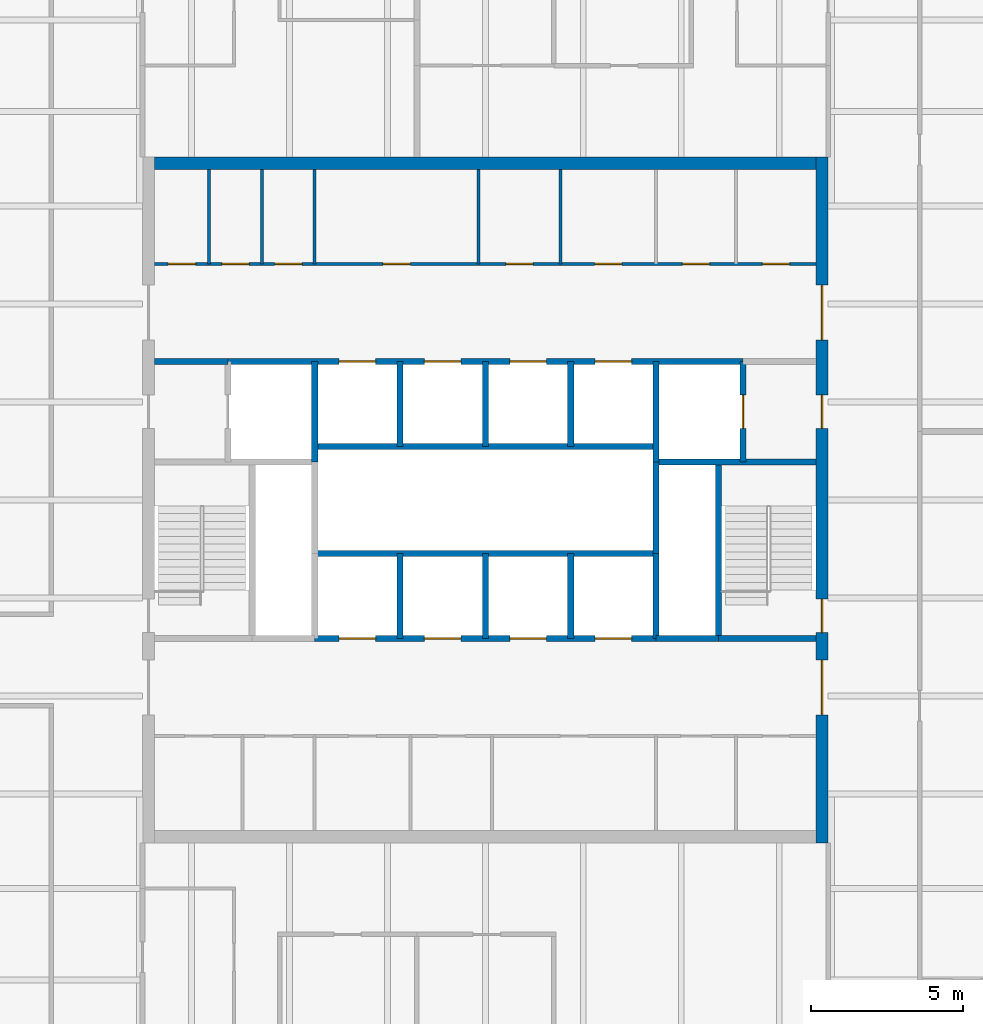
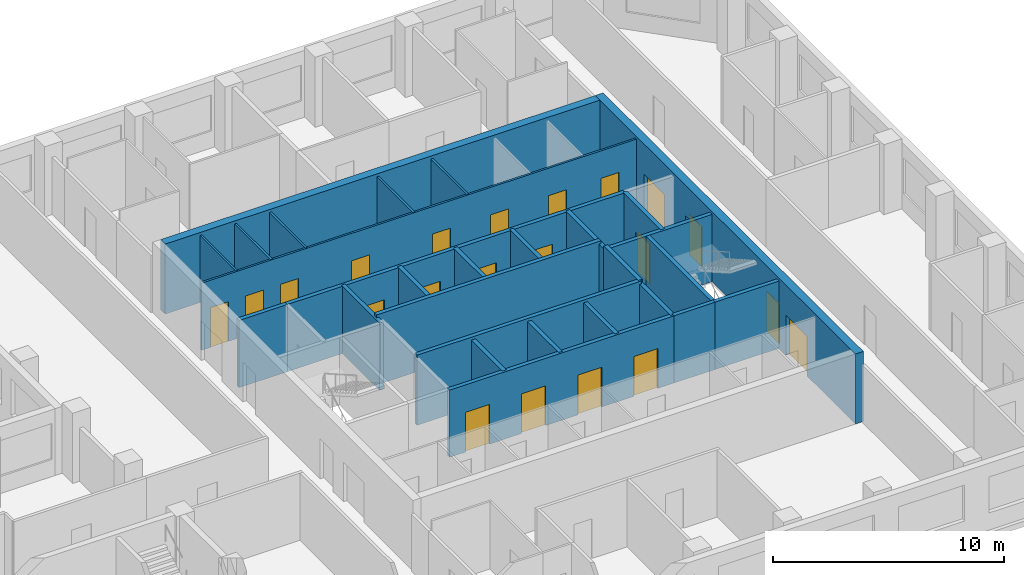
# One storey, part 6 of 9: 28 walls, 21 doors, 21 openings.
"""IFC4 building model written with IfcOpenShell, lengths in metres."""

from ifc_helpers import new_model, si_unit, direction, frame, frame_2d, origin, place, context, subcontext, project, spatial, rectangle, extrude, material, layer, layer_set, type_object, element, fill, save


model = new_model("IFC4")

# Units and contexts
model_context = context("Model", 3, precision=1e-05, world=origin(), true_north=direction((0.0, 1.0)))
body_context = subcontext(model_context, "Body", "Model", "MODEL_VIEW")
ifc_project = project(units=[si_unit("LENGTHUNIT", "METRE"), si_unit("AREAUNIT", "SQUARE_METRE"), si_unit("VOLUMEUNIT", "CUBIC_METRE"), si_unit("PLANEANGLEUNIT", "RADIAN"), si_unit("MASSUNIT", "GRAM", prefix="KILO")], contexts=[model_context])

# Site, building, storey
site_placement = place(None, origin())
site = spatial("IfcSite", under=ifc_project, at=site_placement, CompositionType="ELEMENT")
building_placement = place(site_placement, origin())
building = spatial("IfcBuilding", under=site, at=building_placement, Name="Quoin Convention Tower", CompositionType="ELEMENT")
storey_placement = place(building_placement, frame((0.0, 0.0, 252.60009765625)))
storey = spatial("IfcBuildingStorey", under=building, at=storey_placement, Name="L66", CompositionType="ELEMENT", Elevation=252.60009765625)

# Wall, openings, doors
ifc_material_1 = material(Name="Plasterboard")
ifc_layer_1 = layer(ifc_material_1, 0.012451171875, Name="Finish")
ifc_material_2 = material(Name="Steel stud framing", Category="steel")
ifc_layer_2 = layer(ifc_material_2, 0.074951171875, Name="Structure")
ifc_layer_3 = layer(ifc_material_1, 0.012451171875, Name="Finish")
ifc_layer_set_1 = layer_set([ifc_layer_1, ifc_layer_2, ifc_layer_3], Name="Steel stud framing")
wall_type_1 = type_object("IfcWallType", Name="Core partition wall", PredefinedType="PARTITIONING", material=ifc_layer_set_1)
wall_1_placement = place(storey_placement, frame((45.39990234375, 68.5, 0.0), z_axis=(0.0, 0.0, 1.0), x_axis=(1.0, 0.0, 0.0)))
wall_1 = element("IfcWall", 1, at=wall_1_placement, inside=storey, type_object=wall_type_1, Name="cr-C1-L66-h19000_400", PredefinedType="PARTITIONING", context=body_context, shape_type="SweptSolid", body=[
    extrude(rectangle(XDim=21.7001953125, YDim=0.10009765625, at=frame_2d((10.85009765625, 0.0))), origin(), (0.0, 0.0, 1.0), 3.5498046875),
])
opening_1_placement = place(wall_1_placement, frame((19.9375, 0.0, 0.0)))
opening_1 = element("IfcOpeningElement", 2, at=opening_1_placement, cuts=wall_1, Name="Opening DCV4-14", PredefinedType="OPENING", context=body_context, shape_type="SweptSolid", body=[
    extrude(rectangle(XDim=0.89990234375, YDim=2.10009765625, at=frame_2d((0.449951171875, 1.050048828125))), frame((0.0, 0.06005859375, 0.0), z_axis=(0.0, -1.0, 0.0), x_axis=(1.0, 0.0, 0.0)), (0.0, 0.0, 1.0), 0.1201171875),
])
opening_2_placement = place(wall_1_placement, frame((17.3125, 0.0, 0.0)))
opening_2 = element("IfcOpeningElement", 3, at=opening_2_placement, cuts=wall_1, Name="Opening DCV4-13", PredefinedType="OPENING", context=body_context, shape_type="SweptSolid", body=[
    extrude(rectangle(XDim=0.89990234375, YDim=2.10009765625, at=frame_2d((0.449951171875, 1.050048828125))), frame((0.0, 0.06005859375, 0.0), z_axis=(0.0, -1.0, 0.0), x_axis=(1.0, 0.0, 0.0)), (0.0, 0.0, 1.0), 0.1201171875),
])
opening_3_placement = place(wall_1_placement, frame((0.4423828125, 0.0, 0.0)))
opening_3 = element("IfcOpeningElement", 4, at=opening_3_placement, cuts=wall_1, Name="Opening DCV4-05", PredefinedType="OPENING", context=body_context, shape_type="SweptSolid", body=[
    extrude(rectangle(XDim=0.89990234375, YDim=2.10009765625, at=frame_2d((0.449951171875, 1.050048828125))), frame((0.0, 0.06005859375, 0.0), z_axis=(0.0, -1.0, 0.0), x_axis=(1.0, 0.0, 0.0)), (0.0, 0.0, 1.0), 0.1201171875),
])
opening_4_placement = place(wall_1_placement, frame((2.201416015625, 0.0, 0.0)))
opening_4 = element("IfcOpeningElement", 5, at=opening_4_placement, cuts=wall_1, Name="Opening DCV4-06", PredefinedType="OPENING", context=body_context, shape_type="SweptSolid", body=[
    extrude(rectangle(XDim=0.89990234375, YDim=2.10009765625, at=frame_2d((0.449951171875, 1.050048828125))), frame((0.0, 0.06005859375, 0.0), z_axis=(0.0, -1.0, 0.0), x_axis=(1.0, 0.0, 0.0)), (0.0, 0.0, 1.0), 0.1201171875),
])
opening_5_placement = place(wall_1_placement, frame((3.93359375, 0.0, 0.0)))
opening_5 = element("IfcOpeningElement", 6, at=opening_5_placement, cuts=wall_1, Name="Opening DCV4-07", PredefinedType="OPENING", context=body_context, shape_type="SweptSolid", body=[
    extrude(rectangle(XDim=0.89990234375, YDim=2.10009765625, at=frame_2d((0.449951171875, 1.050048828125))), frame((0.0, 0.06005859375, 0.0), z_axis=(0.0, -1.0, 0.0), x_axis=(1.0, 0.0, 0.0)), (0.0, 0.0, 1.0), 0.1201171875),
])
opening_6_placement = place(wall_1_placement, frame((14.431884765625, 0.0, 0.0)))
opening_6 = element("IfcOpeningElement", 7, at=opening_6_placement, cuts=wall_1, Name="Opening DCV4-12", PredefinedType="OPENING", context=body_context, shape_type="SweptSolid", body=[
    extrude(rectangle(XDim=0.89990234375, YDim=2.10009765625, at=frame_2d((0.449951171875, 1.050048828125))), frame((0.0, 0.06005859375, 0.0), z_axis=(0.0, -1.0, 0.0), x_axis=(1.0, 0.0, 0.0)), (0.0, 0.0, 1.0), 0.1201171875),
])
opening_7_placement = place(wall_1_placement, frame((11.52001953125, 0.0, 0.0)))
opening_7 = element("IfcOpeningElement", 8, at=opening_7_placement, cuts=wall_1, Name="Opening DCV4-10", PredefinedType="OPENING", context=body_context, shape_type="SweptSolid", body=[
    extrude(rectangle(XDim=0.89990234375, YDim=2.10009765625, at=frame_2d((0.449951171875, 1.050048828125))), frame((0.0, 0.06005859375, 0.0), z_axis=(0.0, -1.0, 0.0), x_axis=(1.0, 0.0, 0.0)), (0.0, 0.0, 1.0), 0.1201171875),
])
opening_8_placement = place(wall_1_placement, frame((7.488037109375, 0.0, 0.0)))
opening_8 = element("IfcOpeningElement", 9, at=opening_8_placement, cuts=wall_1, Name="Opening DCV4-09", PredefinedType="OPENING", context=body_context, shape_type="SweptSolid", body=[
    extrude(rectangle(XDim=0.89990234375, YDim=2.10009765625, at=frame_2d((0.449951171875, 1.050048828125))), frame((0.0, 0.06005859375, 0.0), z_axis=(0.0, -1.0, 0.0), x_axis=(1.0, 0.0, 0.0)), (0.0, 0.0, 1.0), 0.1201171875),
])
ifc_material_3 = material(Name="Steel door leaf", Category="steel")
door_type_1 = type_object("IfcDoorType", Name="Core room door 900 x 2100", OperationType="SINGLE_SWING_LEFT", PredefinedType="DOOR", material=ifc_material_3)
door_1_placement = place(opening_1_placement, origin())
door_1 = element("IfcDoor", 10, at=door_1_placement, inside=storey, type_object=door_type_1, Name="cd-C1-L66-CNE0-lobB-CD6607", OperationType="SINGLE_SWING_RIGHT", OverallHeight=2.10009765625, OverallWidth=0.89990234375, PredefinedType="DOOR", context=body_context, shape_type="SweptSolid", body=[
    extrude(rectangle(XDim=0.89990234375, YDim=2.10009765625, at=frame_2d((0.449951171875, 1.050048828125))), frame((0.0, 0.02490234375, 0.0), z_axis=(0.0, -1.0, 0.0), x_axis=(1.0, 0.0, 0.0)), (0.0, 0.0, 1.0), 0.050048828125),
])
fill(opening_1, door_1)
door_2_placement = place(opening_2_placement, origin())
door_2 = element("IfcDoor", 11, at=door_2_placement, inside=storey, type_object=door_type_1, Name="cd-C1-L66-CNE1-lobB-CD6608", OperationType="SINGLE_SWING_RIGHT", OverallHeight=2.10009765625, OverallWidth=0.89990234375, PredefinedType="DOOR", context=body_context, shape_type="SweptSolid", body=[
    extrude(rectangle(XDim=0.89990234375, YDim=2.10009765625, at=frame_2d((0.449951171875, 1.050048828125))), frame((0.0, 0.02490234375, 0.0), z_axis=(0.0, -1.0, 0.0), x_axis=(1.0, 0.0, 0.0)), (0.0, 0.0, 1.0), 0.050048828125),
])
fill(opening_2, door_2)
door_3_placement = place(opening_3_placement, origin())
door_3 = element("IfcDoor", 12, at=door_3_placement, inside=storey, type_object=door_type_1, Name="cd-C1-L66-CNW0-lobB-CD6609", OperationType="SINGLE_SWING_RIGHT", OverallHeight=2.10009765625, OverallWidth=0.89990234375, PredefinedType="DOOR", context=body_context, shape_type="SweptSolid", body=[
    extrude(rectangle(XDim=0.89990234375, YDim=2.10009765625, at=frame_2d((0.449951171875, 1.050048828125))), frame((0.0, 0.02490234375, 0.0), z_axis=(0.0, -1.0, 0.0), x_axis=(1.0, 0.0, 0.0)), (0.0, 0.0, 1.0), 0.050048828125),
])
fill(opening_3, door_3)
door_4_placement = place(opening_4_placement, origin())
door_4 = element("IfcDoor", 13, at=door_4_placement, inside=storey, type_object=door_type_1, Name="cd-C1-L66-CNW1-lobB-CD6610", OperationType="SINGLE_SWING_RIGHT", OverallHeight=2.10009765625, OverallWidth=0.89990234375, PredefinedType="DOOR", context=body_context, shape_type="SweptSolid", body=[
    extrude(rectangle(XDim=0.89990234375, YDim=2.10009765625, at=frame_2d((0.449951171875, 1.050048828125))), frame((0.0, 0.02490234375, 0.0), z_axis=(0.0, -1.0, 0.0), x_axis=(1.0, 0.0, 0.0)), (0.0, 0.0, 1.0), 0.050048828125),
])
fill(opening_4, door_4)
door_5_placement = place(opening_5_placement, origin())
door_5 = element("IfcDoor", 14, at=door_5_placement, inside=storey, type_object=door_type_1, Name="cd-C1-L66-CNW2-lobB-CD6611", OperationType="SINGLE_SWING_RIGHT", OverallHeight=2.10009765625, OverallWidth=0.89990234375, PredefinedType="DOOR", context=body_context, shape_type="SweptSolid", body=[
    extrude(rectangle(XDim=0.89990234375, YDim=2.10009765625, at=frame_2d((0.449951171875, 1.050048828125))), frame((0.0, 0.02490234375, 0.0), z_axis=(0.0, -1.0, 0.0), x_axis=(1.0, 0.0, 0.0)), (0.0, 0.0, 1.0), 0.050048828125),
])
fill(opening_5, door_5)
door_6_placement = place(opening_6_placement, origin())
door_6 = element("IfcDoor", 15, at=door_6_placement, inside=storey, type_object=door_type_1, Name="cd-C1-L66-F40-lobB-CD6619", OperationType="SINGLE_SWING_RIGHT", OverallHeight=2.10009765625, OverallWidth=0.89990234375, PredefinedType="DOOR", context=body_context, shape_type="SweptSolid", body=[
    extrude(rectangle(XDim=0.89990234375, YDim=2.10009765625, at=frame_2d((0.449951171875, 1.050048828125))), frame((0.0, 0.02490234375, 0.0), z_axis=(0.0, -1.0, 0.0), x_axis=(1.0, 0.0, 0.0)), (0.0, 0.0, 1.0), 0.050048828125),
])
fill(opening_6, door_6)
door_7_placement = place(opening_7_placement, origin())
door_7 = element("IfcDoor", 16, at=door_7_placement, inside=storey, type_object=door_type_1, Name="cd-C1-L66-F41-lobB-CD6620", OperationType="SINGLE_SWING_RIGHT", OverallHeight=2.10009765625, OverallWidth=0.89990234375, PredefinedType="DOOR", context=body_context, shape_type="SweptSolid", body=[
    extrude(rectangle(XDim=0.89990234375, YDim=2.10009765625, at=frame_2d((0.449951171875, 1.050048828125))), frame((0.0, 0.02490234375, 0.0), z_axis=(0.0, -1.0, 0.0), x_axis=(1.0, 0.0, 0.0)), (0.0, 0.0, 1.0), 0.050048828125),
])
fill(opening_7, door_7)
door_8_placement = place(opening_8_placement, origin())
door_8 = element("IfcDoor", 17, at=door_8_placement, inside=storey, type_object=door_type_1, Name="cd-C1-L66-F42-lobB-CD6621", OperationType="SINGLE_SWING_RIGHT", OverallHeight=2.10009765625, OverallWidth=0.89990234375, PredefinedType="DOOR", context=body_context, shape_type="SweptSolid", body=[
    extrude(rectangle(XDim=0.89990234375, YDim=2.10009765625, at=frame_2d((0.449951171875, 1.050048828125))), frame((0.0, 0.02490234375, 0.0), z_axis=(0.0, -1.0, 0.0), x_axis=(1.0, 0.0, 0.0)), (0.0, 0.0, 1.0), 0.050048828125),
])
fill(opening_8, door_8)

# Walls
for number, where, z_axis, x_axis, name in (
    (18, (47.18505859375, 68.5, 0.0), (0.0, 0.0, 1.0), (0.0, 1.0, 0.0), "cr-C1-L66-v2185_19000"),
    (19, (48.91748046875, 68.5, 0.0), (0.0, 0.0, 1.0), (0.0, 1.0, 0.0), "cr-C1-L66-v3918_19000"),
    (20, (50.64990234375, 68.5, 0.0), (0.0, 0.0, 1.0), (0.0, 1.0, 0.0), "cr-C1-L66-v5650_19000"),
    (21, (56.02587890625, 68.5, 0.0), (0.0, 0.0, 1.0), (0.0, 1.0, 0.0), "cr-C1-L66-v11026_19000"),
    (22, (58.714111328125, 68.5, 0.0), (0.0, 0.0, 1.0), (0.0, 1.0, 0.0), "cr-C1-L66-v13714_19000"),
):
    element("IfcWall", number, at=place(storey_placement, frame(where, z_axis=z_axis, x_axis=x_axis)), inside=storey, type_object=wall_type_1, Name=name, PredefinedType="PARTITIONING", context=body_context, shape_type="SweptSolid", body=[
        extrude(rectangle(XDim=3.10009765625, YDim=0.10009765625, at=frame_2d((1.550048828125, 0.0))), origin(), (0.0, 0.0, 1.0), 3.5498046875),
    ])
ifc_material_4 = material(Name="Concrete C50", Category="concrete")
ifc_layer_4 = layer(ifc_material_4, 0.199951171875)
ifc_layer_set_2 = layer_set([ifc_layer_4], Name="Concrete C50")
wall_type_2 = type_object("IfcWallType", Name="Core shaft wall", PredefinedType="SOLIDWALL", material=ifc_layer_set_2)
wall_2_placement = place(storey_placement, frame((61.85009765625, 56.199951171875, 0.0), z_axis=(0.0, 0.0, 1.0), x_axis=(1.0, 0.0, 0.0)))
element("IfcWall", 23, at=wall_2_placement, inside=storey, type_object=wall_type_2, Name="cr-C1-L66-h6700_16850", PredefinedType="SOLIDWALL", context=body_context, shape_type="SweptSolid", body=[
    extrude(rectangle(XDim=2.0498046875, YDim=0.199951171875, at=frame_2d((1.02490234375, 0.0))), origin(), (0.0, 0.0, 1.0), 3.5498046875),
])

# Wall, openings, doors
wall_3_placement = place(storey_placement, frame((50.64990234375, 56.199951171875, 0.0), z_axis=(0.0, 0.0, 1.0), x_axis=(1.0, 0.0, 0.0)))
wall_3 = element("IfcWall", 24, at=wall_3_placement, inside=storey, type_object=wall_type_2, Name="cr-C1-L66-h6700_5650", PredefinedType="SOLIDWALL", context=body_context, shape_type="SweptSolid", body=[
    extrude(rectangle(XDim=11.2001953125, YDim=0.199951171875, at=frame_2d((5.60009765625, 0.0))), origin(), (0.0, 0.0, 1.0), 3.5498046875),
])
opening_9_placement = place(wall_3_placement, frame((0.800048828125, 0.0, 0.0)))
opening_9 = element("IfcOpeningElement", 25, at=opening_9_placement, cuts=wall_3, Name="Opening LDH1", PredefinedType="OPENING", context=body_context, shape_type="SweptSolid", body=[
    extrude(rectangle(XDim=1.199951171875, YDim=2.10009765625, at=frame_2d((0.60009765625, 1.050048828125))), frame((0.0, 0.10986328125, 0.0), z_axis=(0.0, -1.0, 0.0), x_axis=(1.0, 0.0, 0.0)), (0.0, 0.0, 1.0), 0.219970703125),
])
opening_10_placement = place(wall_3_placement, frame((3.60009765625, 0.0, 0.0)))
opening_10 = element("IfcOpeningElement", 26, at=opening_10_placement, cuts=wall_3, Name="Opening LDH2", PredefinedType="OPENING", context=body_context, shape_type="SweptSolid", body=[
    extrude(rectangle(XDim=1.199951171875, YDim=2.10009765625, at=frame_2d((0.60009765625, 1.050048828125))), frame((0.0, 0.10986328125, 0.0), z_axis=(0.0, -1.0, 0.0), x_axis=(1.0, 0.0, 0.0)), (0.0, 0.0, 1.0), 0.219970703125),
])
opening_11_placement = place(wall_3_placement, frame((6.39990234375, 0.0, 0.0)))
opening_11 = element("IfcOpeningElement", 27, at=opening_11_placement, cuts=wall_3, Name="Opening LDH3", PredefinedType="OPENING", context=body_context, shape_type="SweptSolid", body=[
    extrude(rectangle(XDim=1.199951171875, YDim=2.10009765625, at=frame_2d((0.60009765625, 1.050048828125))), frame((0.0, 0.10986328125, 0.0), z_axis=(0.0, -1.0, 0.0), x_axis=(1.0, 0.0, 0.0)), (0.0, 0.0, 1.0), 0.219970703125),
])
opening_12_placement = place(wall_3_placement, frame((9.199951171875, 0.0, 0.0)))
opening_12 = element("IfcOpeningElement", 28, at=opening_12_placement, cuts=wall_3, Name="Opening LDH4", PredefinedType="OPENING", context=body_context, shape_type="SweptSolid", body=[
    extrude(rectangle(XDim=1.199951171875, YDim=2.10009765625, at=frame_2d((0.60009765625, 1.050048828125))), frame((0.0, 0.10986328125, 0.0), z_axis=(0.0, -1.0, 0.0), x_axis=(1.0, 0.0, 0.0)), (0.0, 0.0, 1.0), 0.219970703125),
])
door_type_2 = type_object("IfcDoorType", Name="Lift landing door 1200 x 2100", OperationType="DOUBLE_DOOR_SLIDING", PredefinedType="DOOR", material=ifc_material_3)
door_9_placement = place(opening_9_placement, origin())
door_9 = element("IfcDoor", 29, at=door_9_placement, inside=storey, type_object=door_type_2, Name="cd-C1-L66-R20-lobA-LDH1", OperationType="DOUBLE_DOOR_SLIDING", OverallHeight=2.10009765625, OverallWidth=1.199951171875, PredefinedType="DOOR", context=body_context, shape_type="SweptSolid", body=[
    extrude(rectangle(XDim=1.199951171875, YDim=2.10009765625, at=frame_2d((0.60009765625, 1.050048828125))), frame((0.0, 0.02490234375, 0.0), z_axis=(0.0, -1.0, 0.0), x_axis=(1.0, 0.0, 0.0)), (0.0, 0.0, 1.0), 0.050048828125),
])
fill(opening_9, door_9)
door_10_placement = place(opening_10_placement, origin())
door_10 = element("IfcDoor", 30, at=door_10_placement, inside=storey, type_object=door_type_2, Name="cd-C1-L66-R21-lobA-LDH2", OperationType="DOUBLE_DOOR_SLIDING", OverallHeight=2.10009765625, OverallWidth=1.199951171875, PredefinedType="DOOR", context=body_context, shape_type="SweptSolid", body=[
    extrude(rectangle(XDim=1.199951171875, YDim=2.10009765625, at=frame_2d((0.60009765625, 1.050048828125))), frame((0.0, 0.02490234375, 0.0), z_axis=(0.0, -1.0, 0.0), x_axis=(1.0, 0.0, 0.0)), (0.0, 0.0, 1.0), 0.050048828125),
])
fill(opening_10, door_10)
door_11_placement = place(opening_11_placement, origin())
door_11 = element("IfcDoor", 31, at=door_11_placement, inside=storey, type_object=door_type_2, Name="cd-C1-L66-R22-lobA-LDH3", OperationType="DOUBLE_DOOR_SLIDING", OverallHeight=2.10009765625, OverallWidth=1.199951171875, PredefinedType="DOOR", context=body_context, shape_type="SweptSolid", body=[
    extrude(rectangle(XDim=1.199951171875, YDim=2.10009765625, at=frame_2d((0.60009765625, 1.050048828125))), frame((0.0, 0.02490234375, 0.0), z_axis=(0.0, -1.0, 0.0), x_axis=(1.0, 0.0, 0.0)), (0.0, 0.0, 1.0), 0.050048828125),
])
fill(opening_11, door_11)
door_12_placement = place(opening_12_placement, origin())
door_12 = element("IfcDoor", 32, at=door_12_placement, inside=storey, type_object=door_type_2, Name="cd-C1-L66-R23-lobA-LDH4", OperationType="DOUBLE_DOOR_SLIDING", OverallHeight=2.10009765625, OverallWidth=1.199951171875, PredefinedType="DOOR", context=body_context, shape_type="SweptSolid", body=[
    extrude(rectangle(XDim=1.199951171875, YDim=2.10009765625, at=frame_2d((0.60009765625, 1.050048828125))), frame((0.0, 0.02490234375, 0.0), z_axis=(0.0, -1.0, 0.0), x_axis=(1.0, 0.0, 0.0)), (0.0, 0.0, 1.0), 0.050048828125),
])
fill(opening_12, door_12)

# Walls
wall_4_placement = place(storey_placement, frame((63.89990234375, 56.199951171875, 0.0), z_axis=(0.0, 0.0, 1.0), x_axis=(1.0, 0.0, 0.0)))
element("IfcWall", 33, at=wall_4_placement, inside=storey, type_object=wall_type_2, Name="cr-C1-L66-h6700_18900", PredefinedType="SOLIDWALL", context=body_context, shape_type="SweptSolid", body=[
    extrude(rectangle(XDim=3.2001953125, YDim=0.199951171875, at=frame_2d((1.60009765625, 0.0))), origin(), (0.0, 0.0, 1.0), 3.5498046875),
])
wall_5_placement = place(storey_placement, frame((61.85009765625, 62.0, 0.0), z_axis=(0.0, 0.0, 1.0), x_axis=(1.0, 0.0, 0.0)))
element("IfcWall", 34, at=wall_5_placement, inside=storey, type_object=wall_type_2, Name="cr-C1-L66-h12500_16850", PredefinedType="SOLIDWALL", context=body_context, shape_type="SweptSolid", body=[
    extrude(rectangle(XDim=5.25, YDim=0.199951171875, at=frame_2d((2.625, 0.0))), origin(), (0.0, 0.0, 1.0), 3.5498046875),
])
wall_6_placement = place(storey_placement, frame((45.39990234375, 65.300048828125, 0.0), z_axis=(0.0, 0.0, 1.0), x_axis=(1.0, 0.0, 0.0)))
element("IfcWall", 35, at=wall_6_placement, inside=storey, type_object=wall_type_2, Name="cr-C1-L66-h15800_400", PredefinedType="SOLIDWALL", context=body_context, shape_type="SweptSolid", body=[
    extrude(rectangle(XDim=2.400146484375, YDim=0.199951171875, at=frame_2d((1.2001953125, 0.0))), origin(), (0.0, 0.0, 1.0), 3.5498046875),
])

# Wall, openings, doors
wall_7_placement = place(storey_placement, frame((47.800048828125, 65.300048828125, 0.0), z_axis=(0.0, 0.0, 1.0), x_axis=(1.0, 0.0, 0.0)))
wall_7 = element("IfcWall", 36, at=wall_7_placement, inside=storey, type_object=wall_type_2, Name="cr-C1-L66-h15800_2800", PredefinedType="SOLIDWALL", context=body_context, shape_type="SweptSolid", body=[
    extrude(rectangle(XDim=16.89990234375, YDim=0.199951171875, at=frame_2d((8.449951171875, 0.0))), origin(), (0.0, 0.0, 1.0), 3.5498046875),
])
opening_13_placement = place(wall_7_placement, frame((3.64990234375, 0.0, 0.0)))
opening_13 = element("IfcOpeningElement", 37, at=opening_13_placement, cuts=wall_7, Name="Opening LDH5", PredefinedType="OPENING", context=body_context, shape_type="SweptSolid", body=[
    extrude(rectangle(XDim=1.199951171875, YDim=2.10009765625, at=frame_2d((0.60009765625, 1.050048828125))), frame((0.0, 0.10986328125, 0.0), z_axis=(0.0, -1.0, 0.0), x_axis=(1.0, 0.0, 0.0)), (0.0, 0.0, 1.0), 0.219970703125),
])
opening_14_placement = place(wall_7_placement, frame((6.449951171875, 0.0, 0.0)))
opening_14 = element("IfcOpeningElement", 38, at=opening_14_placement, cuts=wall_7, Name="Opening LDH6", PredefinedType="OPENING", context=body_context, shape_type="SweptSolid", body=[
    extrude(rectangle(XDim=1.199951171875, YDim=2.10009765625, at=frame_2d((0.60009765625, 1.050048828125))), frame((0.0, 0.10986328125, 0.0), z_axis=(0.0, -1.0, 0.0), x_axis=(1.0, 0.0, 0.0)), (0.0, 0.0, 1.0), 0.219970703125),
])
opening_15_placement = place(wall_7_placement, frame((9.25, 0.0, 0.0)))
opening_15 = element("IfcOpeningElement", 39, at=opening_15_placement, cuts=wall_7, Name="Opening LDH7", PredefinedType="OPENING", context=body_context, shape_type="SweptSolid", body=[
    extrude(rectangle(XDim=1.199951171875, YDim=2.10009765625, at=frame_2d((0.60009765625, 1.050048828125))), frame((0.0, 0.10986328125, 0.0), z_axis=(0.0, -1.0, 0.0), x_axis=(1.0, 0.0, 0.0)), (0.0, 0.0, 1.0), 0.219970703125),
])
opening_16_placement = place(wall_7_placement, frame((12.050048828125, 0.0, 0.0)))
opening_16 = element("IfcOpeningElement", 40, at=opening_16_placement, cuts=wall_7, Name="Opening LDH8", PredefinedType="OPENING", context=body_context, shape_type="SweptSolid", body=[
    extrude(rectangle(XDim=1.199951171875, YDim=2.10009765625, at=frame_2d((0.60009765625, 1.050048828125))), frame((0.0, 0.10986328125, 0.0), z_axis=(0.0, -1.0, 0.0), x_axis=(1.0, 0.0, 0.0)), (0.0, 0.0, 1.0), 0.219970703125),
])
door_13_placement = place(opening_13_placement, origin())
door_13 = element("IfcDoor", 41, at=door_13_placement, inside=storey, type_object=door_type_2, Name="cd-C1-L66-R30-lobB-LDH5", OperationType="DOUBLE_DOOR_SLIDING", OverallHeight=2.10009765625, OverallWidth=1.199951171875, PredefinedType="DOOR", context=body_context, shape_type="SweptSolid", body=[
    extrude(rectangle(XDim=1.199951171875, YDim=2.10009765625, at=frame_2d((0.60009765625, 1.050048828125))), frame((0.0, 0.02490234375, 0.0), z_axis=(0.0, -1.0, 0.0), x_axis=(1.0, 0.0, 0.0)), (0.0, 0.0, 1.0), 0.050048828125),
])
fill(opening_13, door_13)
door_14_placement = place(opening_14_placement, origin())
door_14 = element("IfcDoor", 42, at=door_14_placement, inside=storey, type_object=door_type_2, Name="cd-C1-L66-R31-lobB-LDH6", OperationType="DOUBLE_DOOR_SLIDING", OverallHeight=2.10009765625, OverallWidth=1.199951171875, PredefinedType="DOOR", context=body_context, shape_type="SweptSolid", body=[
    extrude(rectangle(XDim=1.199951171875, YDim=2.10009765625, at=frame_2d((0.60009765625, 1.050048828125))), frame((0.0, 0.02490234375, 0.0), z_axis=(0.0, -1.0, 0.0), x_axis=(1.0, 0.0, 0.0)), (0.0, 0.0, 1.0), 0.050048828125),
])
fill(opening_14, door_14)
door_15_placement = place(opening_15_placement, origin())
door_15 = element("IfcDoor", 43, at=door_15_placement, inside=storey, type_object=door_type_2, Name="cd-C1-L66-R32-lobB-LDH7", OperationType="DOUBLE_DOOR_SLIDING", OverallHeight=2.10009765625, OverallWidth=1.199951171875, PredefinedType="DOOR", context=body_context, shape_type="SweptSolid", body=[
    extrude(rectangle(XDim=1.199951171875, YDim=2.10009765625, at=frame_2d((0.60009765625, 1.050048828125))), frame((0.0, 0.02490234375, 0.0), z_axis=(0.0, -1.0, 0.0), x_axis=(1.0, 0.0, 0.0)), (0.0, 0.0, 1.0), 0.050048828125),
])
fill(opening_15, door_15)
door_16_placement = place(opening_16_placement, origin())
door_16 = element("IfcDoor", 44, at=door_16_placement, inside=storey, type_object=door_type_2, Name="cd-C1-L66-R33-lobB-LDH8", OperationType="DOUBLE_DOOR_SLIDING", OverallHeight=2.10009765625, OverallWidth=1.199951171875, PredefinedType="DOOR", context=body_context, shape_type="SweptSolid", body=[
    extrude(rectangle(XDim=1.199951171875, YDim=2.10009765625, at=frame_2d((0.60009765625, 1.050048828125))), frame((0.0, 0.02490234375, 0.0), z_axis=(0.0, -1.0, 0.0), x_axis=(1.0, 0.0, 0.0)), (0.0, 0.0, 1.0), 0.050048828125),
])
fill(opening_16, door_16)

# Walls
wall_8_placement = place(storey_placement, frame((50.64990234375, 62.0, 0.0), z_axis=(0.0, 0.0, 1.0), x_axis=(0.0, 1.0, 0.0)))
element("IfcWall", 45, at=wall_8_placement, inside=storey, type_object=wall_type_2, Name="cr-C1-L66-v5650_12500", PredefinedType="SOLIDWALL", context=body_context, shape_type="SweptSolid", body=[
    extrude(rectangle(XDim=3.300048828125, YDim=0.199951171875, at=frame_2d((1.64990234375, 0.0))), origin(), (0.0, 0.0, 1.0), 3.5498046875),
])
for number, where, z_axis, x_axis, name in (
    (46, (53.449951171875, 56.199951171875, 0.0), (0.0, 0.0, 1.0), (0.0, 1.0, 0.0), "cr-C1-L66-v8450_6700"),
    (47, (53.449951171875, 62.5, 0.0), (0.0, 0.0, 1.0), (0.0, 1.0, 0.0), "cr-C1-L66-v8450_13000"),
    (48, (56.25, 56.199951171875, 0.0), (0.0, 0.0, 1.0), (0.0, 1.0, 0.0), "cr-C1-L66-v11250_6700"),
    (49, (56.25, 62.5, 0.0), (0.0, 0.0, 1.0), (0.0, 1.0, 0.0), "cr-C1-L66-v11250_13000"),
    (50, (59.050048828125, 56.199951171875, 0.0), (0.0, 0.0, 1.0), (0.0, 1.0, 0.0), "cr-C1-L66-v14050_6700"),
    (51, (59.050048828125, 62.5, 0.0), (0.0, 0.0, 1.0), (0.0, 1.0, 0.0), "cr-C1-L66-v14050_13000"),
    (52, (61.85009765625, 56.199951171875, 0.0), (0.0, 0.0, 1.0), (0.0, 1.0, 0.0), "cr-C1-L66-v16850_6700"),
):
    element("IfcWall", number, at=place(storey_placement, frame(where, z_axis=z_axis, x_axis=x_axis)), inside=storey, type_object=wall_type_2, Name=name, PredefinedType="SOLIDWALL", context=body_context, shape_type="SweptSolid", body=[
        extrude(rectangle(XDim=2.800048828125, YDim=0.199951171875, at=frame_2d((1.39990234375, 0.0))), origin(), (0.0, 0.0, 1.0), 3.5498046875),
    ])
wall_9_placement = place(storey_placement, frame((61.85009765625, 62.0, 0.0), z_axis=(0.0, 0.0, 1.0), x_axis=(0.0, 1.0, 0.0)))
element("IfcWall", 53, at=wall_9_placement, inside=storey, type_object=wall_type_2, Name="cr-C1-L66-v16850_12500", PredefinedType="SOLIDWALL", context=body_context, shape_type="SweptSolid", body=[
    extrude(rectangle(XDim=3.300048828125, YDim=0.199951171875, at=frame_2d((1.64990234375, 0.0))), origin(), (0.0, 0.0, 1.0), 3.5498046875),
])
wall_10_placement = place(storey_placement, frame((63.89990234375, 56.199951171875, 0.0), z_axis=(0.0, 0.0, 1.0), x_axis=(0.0, 1.0, 0.0)))
element("IfcWall", 54, at=wall_10_placement, inside=storey, type_object=wall_type_2, Name="cr-C1-L66-v18900_6700", PredefinedType="SOLIDWALL", context=body_context, shape_type="SweptSolid", body=[
    extrude(rectangle(XDim=5.800048828125, YDim=0.199951171875, at=frame_2d((2.89990234375, 0.0))), origin(), (0.0, 0.0, 1.0), 3.5498046875),
])

# Wall, opening, door
wall_11_placement = place(storey_placement, frame((64.699951171875, 62.0, 0.0), z_axis=(0.0, 0.0, 1.0), x_axis=(0.0, 1.0, 0.0)))
wall_11 = element("IfcWall", 55, at=wall_11_placement, inside=storey, type_object=wall_type_2, Name="cr-C1-L66-v19700_12500", PredefinedType="SOLIDWALL", context=body_context, shape_type="SweptSolid", body=[
    extrude(rectangle(XDim=3.300048828125, YDim=0.199951171875, at=frame_2d((1.64990234375, 0.0))), origin(), (0.0, 0.0, 1.0), 3.5498046875),
])
opening_17_placement = place(wall_11_placement, frame((1.10009765625, 0.0, 0.0)))
opening_17 = element("IfcOpeningElement", 56, at=opening_17_placement, cuts=wall_11, Name="Opening LDFL2", PredefinedType="OPENING", context=body_context, shape_type="SweptSolid", body=[
    extrude(rectangle(XDim=1.10009765625, YDim=2.10009765625, at=frame_2d((0.550048828125, 1.050048828125))), frame((0.0, 0.10986328125, 0.0), z_axis=(0.0, -1.0, 0.0), x_axis=(1.0, 0.0, 0.0)), (0.0, 0.0, 1.0), 0.219970703125),
])
door_type_3 = type_object("IfcDoorType", Name="Lift landing door 1100 x 2100", OperationType="DOUBLE_DOOR_SLIDING", PredefinedType="DOOR", material=ifc_material_3)
door_17_placement = place(opening_17_placement, origin())
door_17 = element("IfcDoor", 57, at=door_17_placement, inside=storey, type_object=door_type_3, Name="cd-C1-L66-FLE-FFE-LDFL2", OperationType="DOUBLE_DOOR_SLIDING", OverallHeight=2.10009765625, OverallWidth=1.10009765625, PredefinedType="DOOR", context=body_context, shape_type="SweptSolid", body=[
    extrude(rectangle(XDim=1.10009765625, YDim=2.10009765625, at=frame_2d((0.550048828125, 1.050048828125))), frame((0.0, 0.02490234375, 0.0), z_axis=(0.0, -1.0, 0.0), x_axis=(1.0, 0.0, 0.0)), (0.0, 0.0, 1.0), 0.050048828125),
])
fill(opening_17, door_17)

# Walls
ifc_layer_5 = layer(ifc_material_4, 0.199951171875)
ifc_layer_set_3 = layer_set([ifc_layer_5], Name="Concrete C50")
wall_type_3 = type_object("IfcWallType", Name="Core shaft wall to the floor level over", PredefinedType="SOLIDWALL", material=ifc_layer_set_3)
for number, where, z_axis, x_axis, name in (
    (58, (50.64990234375, 59.0, 0.0), (0.0, 0.0, 1.0), (1.0, 0.0, 0.0), "cr-C1-L66-h9500_5650"),
    (59, (50.64990234375, 62.5, 0.0), (0.0, 0.0, 1.0), (1.0, 0.0, 0.0), "cr-C1-L66-h13000_5650"),
):
    element("IfcWall", number, at=place(storey_placement, frame(where, z_axis=z_axis, x_axis=x_axis)), inside=storey, type_object=wall_type_3, Name=name, PredefinedType="SOLIDWALL", context=body_context, shape_type="SweptSolid", body=[
        extrude(rectangle(XDim=11.2001953125, YDim=0.199951171875, at=frame_2d((5.60009765625, 0.0))), origin(), (0.0, 0.0, 1.0), 3.699951171875),
    ])
wall_12_placement = place(storey_placement, frame((61.85009765625, 59.0, 0.0), z_axis=(0.0, 0.0, 1.0), x_axis=(0.0, 1.0, 0.0)))
element("IfcWall", 60, at=wall_12_placement, inside=storey, type_object=wall_type_3, Name="cr-C1-L66-v16850_9500", PredefinedType="SOLIDWALL", context=body_context, shape_type="SweptSolid", body=[
    extrude(rectangle(XDim=3.0, YDim=0.199951171875, at=frame_2d((1.5, 0.0))), origin(), (0.0, 0.0, 1.0), 3.699951171875),
])
ifc_layer_6 = layer(ifc_material_4, 0.39990234375)
ifc_layer_set_4 = layer_set([ifc_layer_6], Name="Concrete C50")
wall_type_4 = type_object("IfcWallType", Name="RC CORE WALL 400 C50", PredefinedType="SHEAR", material=ifc_layer_set_4)
wall_13_placement = place(storey_placement, frame((45.39990234375, 71.800048828125, 0.0), z_axis=(0.0, 0.0, 1.0), x_axis=(1.0, 0.0, 0.0)))
element("IfcWall", 61, at=wall_13_placement, inside=storey, type_object=wall_type_4, Name="cwl-C1-L66-N", PredefinedType="SHEAR", context=body_context, shape_type="SweptSolid", body=[
    extrude(rectangle(XDim=21.7001953125, YDim=0.39990234375, at=frame_2d((10.85009765625, 0.0))), origin(), (0.0, 0.0, 1.0), 3.699951171875),
])

# Wall, openings, doors
wall_14_placement = place(storey_placement, frame((67.300048828125, 49.5, 0.0), z_axis=(0.0, 0.0, 1.0), x_axis=(0.0, 1.0, 0.0)))
wall_14 = element("IfcWall", 62, at=wall_14_placement, inside=storey, type_object=wall_type_4, Name="cwl-C1-L66-E", PredefinedType="SHEAR", context=body_context, shape_type="SweptSolid", body=[
    extrude(rectangle(XDim=22.5, YDim=0.39990234375, at=frame_2d((11.25, 0.0))), origin(), (0.0, 0.0, 1.0), 3.699951171875),
])
opening_18_placement = place(wall_14_placement, frame((4.199951171875, 0.0, 0.0)))
opening_18 = element("IfcOpeningElement", 63, at=opening_18_placement, cuts=wall_14, Name="Opening DCV4-39", PredefinedType="OPENING", context=body_context, shape_type="SweptSolid", body=[
    extrude(rectangle(XDim=1.800048828125, YDim=2.10009765625, at=frame_2d((0.89990234375, 1.050048828125))), frame((0.0, 0.2099609375, 0.0), z_axis=(0.0, -1.0, 0.0), x_axis=(1.0, 0.0, 0.0)), (0.0, 0.0, 1.0), 0.419921875),
])
opening_19_placement = place(wall_14_placement, frame((6.89990234375, 0.0, 0.0)))
opening_19 = element("IfcOpeningElement", 64, at=opening_19_placement, cuts=wall_14, Name="Opening SD2", PredefinedType="OPENING", context=body_context, shape_type="SweptSolid", body=[
    extrude(rectangle(XDim=1.10009765625, YDim=2.10009765625, at=frame_2d((0.550048828125, 1.050048828125))), frame((0.0, 0.2099609375, 0.0), z_axis=(0.0, -1.0, 0.0), x_axis=(1.0, 0.0, 0.0)), (0.0, 0.0, 1.0), 0.419921875),
])
opening_20_placement = place(wall_14_placement, frame((13.60009765625, 0.0, 0.0)))
opening_20 = element("IfcOpeningElement", 65, at=opening_20_placement, cuts=wall_14, Name="Opening DCV4-38", PredefinedType="OPENING", context=body_context, shape_type="SweptSolid", body=[
    extrude(rectangle(XDim=1.10009765625, YDim=2.10009765625, at=frame_2d((0.550048828125, 1.050048828125))), frame((0.0, 0.2099609375, 0.0), z_axis=(0.0, -1.0, 0.0), x_axis=(1.0, 0.0, 0.0)), (0.0, 0.0, 1.0), 0.419921875),
])
opening_21_placement = place(wall_14_placement, frame((16.5, 0.0, 0.0)))
opening_21 = element("IfcOpeningElement", 66, at=opening_21_placement, cuts=wall_14, Name="Opening DCV4-39", PredefinedType="OPENING", context=body_context, shape_type="SweptSolid", body=[
    extrude(rectangle(XDim=1.800048828125, YDim=2.10009765625, at=frame_2d((0.89990234375, 1.050048828125))), frame((0.0, 0.2099609375, 0.0), z_axis=(0.0, -1.0, 0.0), x_axis=(1.0, 0.0, 0.0)), (0.0, 0.0, 1.0), 0.419921875),
])
door_type_4 = type_object("IfcDoorType", Name="Fire-fighting lobby door 1100 x 2100", OperationType="SINGLE_SWING_LEFT", PredefinedType="DOOR", material=ifc_material_3)
door_18_placement = place(opening_20_placement, origin())
door_18 = element("IfcDoor", 67, at=door_18_placement, inside=storey, type_object=door_type_4, Name="cd-C1-L66-FFE-E", OperationType="SINGLE_SWING_RIGHT", OverallHeight=2.10009765625, OverallWidth=1.10009765625, PredefinedType="DOOR", context=body_context, shape_type="SweptSolid", body=[
    extrude(rectangle(XDim=1.10009765625, YDim=2.10009765625, at=frame_2d((0.550048828125, 1.050048828125))), frame((0.0, 0.02490234375, 0.0), z_axis=(0.0, -1.0, 0.0), x_axis=(1.0, 0.0, 0.0)), (0.0, 0.0, 1.0), 0.050048828125),
])
fill(opening_20, door_18)
door_type_5 = type_object("IfcDoorType", Name="Lift lobby door 1800 x 2100", OperationType="SINGLE_SWING_LEFT", PredefinedType="DOOR", material=ifc_material_3)
door_19_placement = place(opening_18_placement, origin())
door_19 = element("IfcDoor", 68, at=door_19_placement, inside=storey, type_object=door_type_5, Name="cd-C1-L66-lobA-E", OperationType="SINGLE_SWING_RIGHT", OverallHeight=2.10009765625, OverallWidth=1.800048828125, PredefinedType="DOOR", context=body_context, shape_type="SweptSolid", body=[
    extrude(rectangle(XDim=1.800048828125, YDim=2.10009765625, at=frame_2d((0.89990234375, 1.050048828125))), frame((0.0, 0.02490234375, 0.0), z_axis=(0.0, -1.0, 0.0), x_axis=(1.0, 0.0, 0.0)), (0.0, 0.0, 1.0), 0.050048828125),
])
fill(opening_18, door_19)
door_20_placement = place(opening_21_placement, origin())
door_20 = element("IfcDoor", 69, at=door_20_placement, inside=storey, type_object=door_type_5, Name="cd-C1-L66-lobB-E", OperationType="SINGLE_SWING_RIGHT", OverallHeight=2.10009765625, OverallWidth=1.800048828125, PredefinedType="DOOR", context=body_context, shape_type="SweptSolid", body=[
    extrude(rectangle(XDim=1.800048828125, YDim=2.10009765625, at=frame_2d((0.89990234375, 1.050048828125))), frame((0.0, 0.02490234375, 0.0), z_axis=(0.0, -1.0, 0.0), x_axis=(1.0, 0.0, 0.0)), (0.0, 0.0, 1.0), 0.050048828125),
])
fill(opening_21, door_20)
door_type_6 = type_object("IfcDoorType", Name="Stair door 1100 x 2100", OperationType="SINGLE_SWING_RIGHT", PredefinedType="DOOR", material=ifc_material_3)
door_21_placement = place(opening_19_placement, origin())
door_21 = element("IfcDoor", 70, at=door_21_placement, inside=storey, type_object=door_type_6, Name="cd-C1-L66-STE-E", OperationType="SINGLE_SWING_LEFT", OverallHeight=2.10009765625, OverallWidth=1.10009765625, PredefinedType="DOOR", context=body_context, shape_type="SweptSolid", body=[
    extrude(rectangle(XDim=1.10009765625, YDim=2.10009765625, at=frame_2d((0.550048828125, 1.050048828125))), frame((0.0, 0.02490234375, 0.0), z_axis=(0.0, -1.0, 0.0), x_axis=(1.0, 0.0, 0.0)), (0.0, 0.0, 1.0), 0.050048828125),
])
fill(opening_19, door_21)

save(model, "model.ifc")
